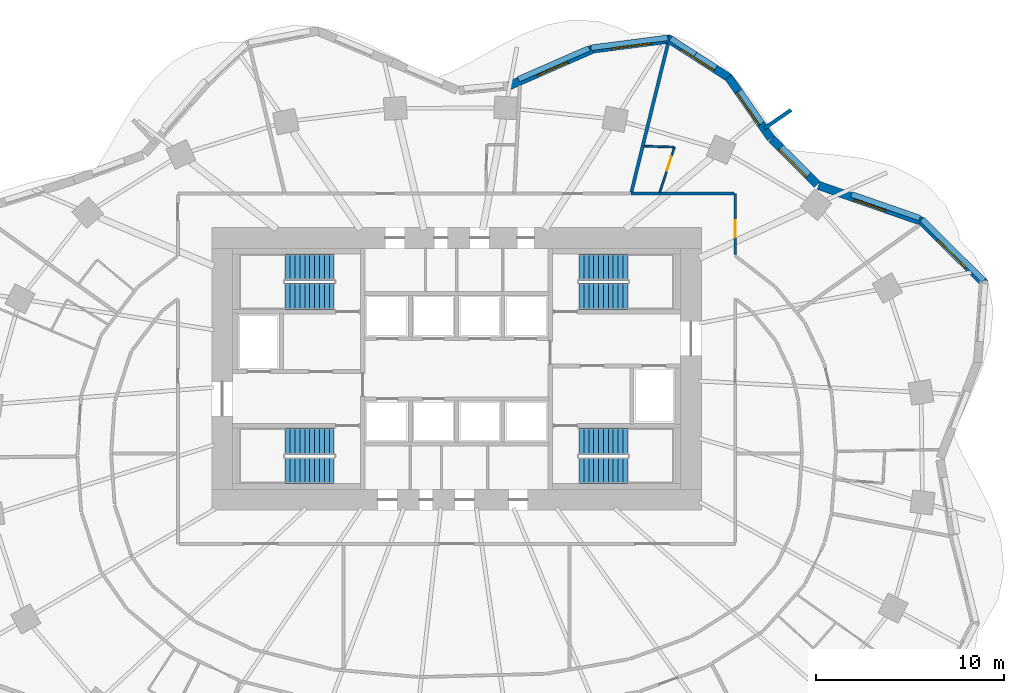
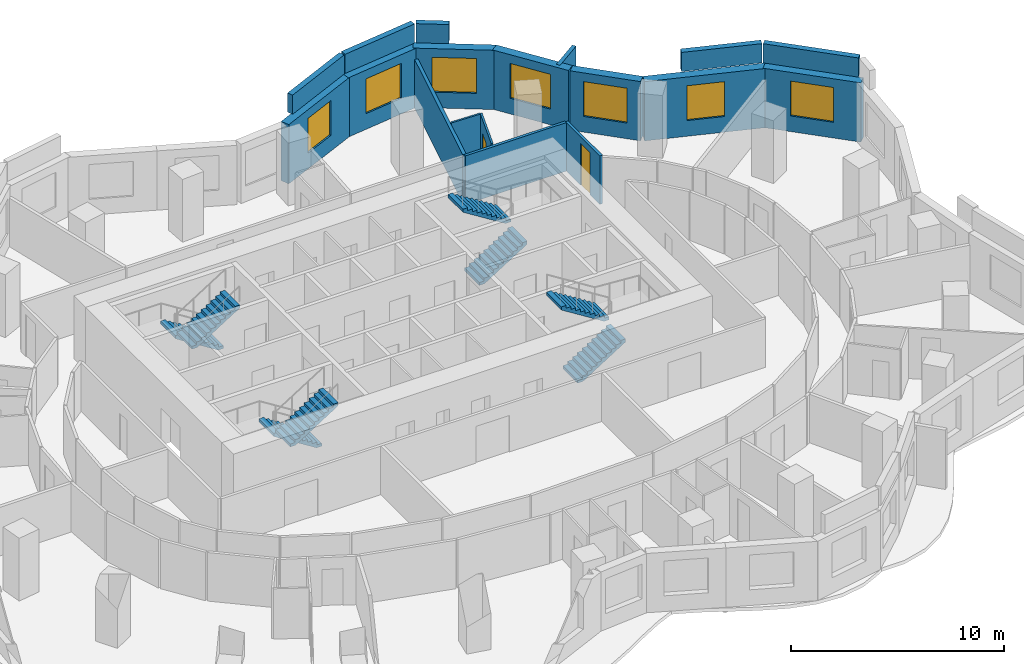
# One storey, part 9 of 10: 18 walls, 8 stair flights, 7 windows, 2 doors, 9 openings, 4 elements without a shape of their own.
"""IFC4 building model written with IfcOpenShell, lengths in metres."""

from ifc_helpers import new_model, si_unit, direction, frame, frame_2d, origin, place, context, subcontext, project, spatial, polyline, rectangle, outline, extrude, material, layer, layer_set, type_object, element, fill, aggregate, save


model = new_model("IFC4")

# Units and contexts
model_context = context("Model", 3, precision=1e-05, world=origin(), true_north=direction((0.0, 1.0)))
body_context = subcontext(model_context, "Body", "Model", "MODEL_VIEW")
ifc_project = project(units=[si_unit("LENGTHUNIT", "METRE"), si_unit("AREAUNIT", "SQUARE_METRE"), si_unit("VOLUMEUNIT", "CUBIC_METRE"), si_unit("PLANEANGLEUNIT", "RADIAN"), si_unit("MASSUNIT", "GRAM", prefix="KILO")], contexts=[model_context])

# Site, building, storey
site_placement = place(None, origin())
site = spatial("IfcSite", under=ifc_project, at=site_placement, CompositionType="ELEMENT")
building_placement = place(site_placement, origin())
building = spatial("IfcBuilding", under=site, at=building_placement, Name="Rubra Terraces Tower", CompositionType="ELEMENT")
storey_placement = place(building_placement, frame((0.0, 0.0, 110.39990234375)))
storey = spatial("IfcBuildingStorey", under=building, at=storey_placement, Name="L26", CompositionType="ELEMENT", Elevation=110.39990234375)

# Wall
ifc_material_1 = material(Name="Twin plasterboard on staggered steel stud, acoustic mineral wool", Category="steel")
ifc_layer_1 = layer(ifc_material_1, 0.175048828125)
ifc_layer_set_1 = layer_set([ifc_layer_1], Name="Twin plasterboard on staggered steel stud, acoustic mineral wool")
wall_type_1 = type_object("IfcWallType", Name="ACOUSTIC PARTY WALL 175", PredefinedType="PARTITIONING", material=ifc_layer_set_1)
wall_1_placement = place(storey_placement, frame((11.2265625, 21.769287109375, 0.0), z_axis=(0.0, 0.0, 1.0), x_axis=(-0.23905867542, -0.971005123419, 0.0)))
element("IfcWall", 1, at=wall_1_placement, inside=storey, type_object=wall_type_1, Name="PARTITION", PredefinedType="PARTITIONING", context=body_context, shape_type="SweptSolid", body=[
    extrude(rectangle(XDim=8.13232421875, YDim=0.175048828125, at=frame_2d((4.066162109375, 0.0))), origin(), (0.0, 0.0, 1.0), 2.7841796875),
])

# Wall, opening, window
ifc_material_2 = material(Name="Brick masonry red-brown", Category="masonry")
ifc_layer_2 = layer(ifc_material_2, 0.449951171875)
ifc_layer_set_2 = layer_set([ifc_layer_2], Name="Brick masonry red-brown")
wall_type_2 = type_object("IfcWallType", Name="Brick facade wall 450", PredefinedType="SOLIDWALL", material=ifc_layer_set_2)
wall_2_placement = place(storey_placement, frame((28.06787109375, 9.010986328125, 0.0), z_axis=(0.0, 0.0, 1.0), x_axis=(-0.711293453435, 0.702895172199, 0.0)))
wall_2 = element("IfcWall", 2, at=wall_2_placement, inside=storey, type_object=wall_type_2, Name="Facade wall L26 bay 3", PredefinedType="SOLIDWALL", context=body_context, shape_type="SweptSolid", body=[
    extrude(rectangle(XDim=4.767578125, YDim=0.449951171875, at=frame_2d((2.3837890625, 0.0))), origin(), (0.0, 0.0, 1.0), 3.400146484375),
])
opening_1_placement = place(wall_2_placement, frame((1.333740234375, 0.0, 0.89990234375)))
opening_1 = element("IfcOpeningElement", 3, at=opening_1_placement, cuts=wall_2, Name="Opening W1", PredefinedType="OPENING", context=body_context, shape_type="SweptSolid", body=[
    extrude(rectangle(XDim=2.10009765625, YDim=2.0, at=frame_2d((1.050048828125, 1.0))), frame((0.0, 0.23486328125, 0.0), z_axis=(0.0, -1.0, 0.0), x_axis=(1.0, 0.0, 0.0)), (0.0, 0.0, 1.0), 0.469970703125),
])
ifc_material_3 = material(Name="Clear glass in aluminium frame", Category="aluminium")
window_type_1 = type_object("IfcWindowType", Name="Fixed deep-set window 2100 x 2000", PartitioningType="SINGLE_PANEL", PredefinedType="WINDOW", material=ifc_material_3)
window_1_placement = place(opening_1_placement, origin())
window_1 = element("IfcWindow", 4, at=window_1_placement, inside=storey, type_object=window_type_1, Name="Window L26 bay 3", OverallHeight=2.0, OverallWidth=2.10009765625, PartitioningType="SINGLE_PANEL", PredefinedType="WINDOW", context=body_context, shape_type="SweptSolid", body=[
    extrude(rectangle(XDim=2.10009765625, YDim=2.0, at=frame_2d((1.050048828125, 1.0))), frame((0.0, 0.135009765625, 0.0), z_axis=(0.0, -1.0, 0.0), x_axis=(1.0, 0.0, 0.0)), (0.0, 0.0, 1.0), 0.06005859375),
])
fill(opening_1, window_1)

wall_3_placement = place(storey_placement, frame((24.760986328125, 12.309814453125, 0.0), z_axis=(0.0, 0.0, 1.0), x_axis=(-0.944397305248, 0.328806523414, 0.0)))
wall_3 = element("IfcWall", 5, at=wall_3_placement, inside=storey, type_object=wall_type_2, Name="Facade wall L26 bay 4", PredefinedType="SOLIDWALL", context=body_context, shape_type="SweptSolid", body=[
    extrude(rectangle(XDim=5.862060546875, YDim=0.449951171875, at=frame_2d((2.93115234375, 0.0))), origin(), (0.0, 0.0, 1.0), 3.400146484375),
])
opening_2_placement = place(wall_3_placement, frame((2.031005859375, 0.0, 0.89990234375)))
opening_2 = element("IfcOpeningElement", 6, at=opening_2_placement, cuts=wall_3, Name="Opening W6", PredefinedType="OPENING", context=body_context, shape_type="SweptSolid", body=[
    extrude(rectangle(XDim=1.800048828125, YDim=2.0, at=frame_2d((0.89990234375, 1.0))), frame((0.0, 0.23486328125, 0.0), z_axis=(0.0, -1.0, 0.0), x_axis=(1.0, 0.0, 0.0)), (0.0, 0.0, 1.0), 0.469970703125),
])
window_type_2 = type_object("IfcWindowType", Name="Fixed deep-set window at wind fin 1800 x 2000", PartitioningType="SINGLE_PANEL", PredefinedType="WINDOW", material=ifc_material_3)
window_2_placement = place(opening_2_placement, origin())
window_2 = element("IfcWindow", 7, at=window_2_placement, inside=storey, type_object=window_type_2, Name="Window L26 bay 4", OverallHeight=2.0, OverallWidth=1.800048828125, PartitioningType="SINGLE_PANEL", PredefinedType="WINDOW", context=body_context, shape_type="SweptSolid", body=[
    extrude(rectangle(XDim=1.800048828125, YDim=2.0, at=frame_2d((0.89990234375, 1.0))), frame((0.0, 0.135009765625, 0.0), z_axis=(0.0, -1.0, 0.0), x_axis=(1.0, 0.0, 0.0)), (0.0, 0.0, 1.0), 0.06005859375),
])
fill(opening_2, window_2)

wall_4_placement = place(storey_placement, frame((19.145263671875, 14.285400390625, 0.0), z_axis=(0.0, 0.0, 1.0), x_axis=(-0.707427521052, 0.706785895769, 0.0)))
wall_4 = element("IfcWall", 8, at=wall_4_placement, inside=storey, type_object=wall_type_2, Name="Facade wall L26 bay 5", PredefinedType="SOLIDWALL", context=body_context, shape_type="SweptSolid", body=[
    extrude(rectangle(XDim=3.424560546875, YDim=0.449951171875, at=frame_2d((1.71240234375, 0.0))), origin(), (0.0, 0.0, 1.0), 3.400146484375),
])
opening_3_placement = place(wall_4_placement, frame((0.662353515625, 0.0, 0.89990234375)))
opening_3 = element("IfcOpeningElement", 9, at=opening_3_placement, cuts=wall_4, Name="Opening W1", PredefinedType="OPENING", context=body_context, shape_type="SweptSolid", body=[
    extrude(rectangle(XDim=2.10009765625, YDim=2.0, at=frame_2d((1.050048828125, 1.0))), frame((0.0, 0.23486328125, 0.0), z_axis=(0.0, -1.0, 0.0), x_axis=(1.0, 0.0, 0.0)), (0.0, 0.0, 1.0), 0.469970703125),
])
window_3_placement = place(opening_3_placement, origin())
window_3 = element("IfcWindow", 10, at=window_3_placement, inside=storey, type_object=window_type_1, Name="Window L26 bay 5", OverallHeight=2.0, OverallWidth=2.10009765625, PartitioningType="SINGLE_PANEL", PredefinedType="WINDOW", context=body_context, shape_type="SweptSolid", body=[
    extrude(rectangle(XDim=2.10009765625, YDim=2.0, at=frame_2d((1.050048828125, 1.0))), frame((0.0, 0.135009765625, 0.0), z_axis=(0.0, -1.0, 0.0), x_axis=(1.0, 0.0, 0.0)), (0.0, 0.0, 1.0), 0.06005859375),
])
fill(opening_3, window_3)

wall_5_placement = place(storey_placement, frame((16.695068359375, 16.73681640625, 0.0), z_axis=(0.0, 0.0, 1.0), x_axis=(-0.569652445465, 0.821885692402, 0.0)))
wall_5 = element("IfcWall", 11, at=wall_5_placement, inside=storey, type_object=wall_type_2, Name="Facade wall L26 bay 6", PredefinedType="SOLIDWALL", context=body_context, shape_type="SweptSolid", body=[
    extrude(rectangle(XDim=3.958740234375, YDim=0.449951171875, at=frame_2d((1.9794921875, 0.0))), origin(), (0.0, 0.0, 1.0), 3.400146484375),
])
opening_4_placement = place(wall_5_placement, frame((0.929443359375, 0.0, 0.89990234375)))
opening_4 = element("IfcOpeningElement", 12, at=opening_4_placement, cuts=wall_5, Name="Opening W1", PredefinedType="OPENING", context=body_context, shape_type="SweptSolid", body=[
    extrude(rectangle(XDim=2.10009765625, YDim=2.0, at=frame_2d((1.050048828125, 1.0))), frame((0.0, 0.23486328125, 0.0), z_axis=(0.0, -1.0, 0.0), x_axis=(1.0, 0.0, 0.0)), (0.0, 0.0, 1.0), 0.469970703125),
])
window_4_placement = place(opening_4_placement, origin())
window_4 = element("IfcWindow", 13, at=window_4_placement, inside=storey, type_object=window_type_1, Name="Window L26 bay 6", OverallHeight=2.0, OverallWidth=2.10009765625, PartitioningType="SINGLE_PANEL", PredefinedType="WINDOW", context=body_context, shape_type="SweptSolid", body=[
    extrude(rectangle(XDim=2.10009765625, YDim=2.0, at=frame_2d((1.050048828125, 1.0))), frame((0.0, 0.135009765625, 0.0), z_axis=(0.0, -1.0, 0.0), x_axis=(1.0, 0.0, 0.0)), (0.0, 0.0, 1.0), 0.06005859375),
])
fill(opening_4, window_4)

wall_6_placement = place(storey_placement, frame((14.499267578125, 19.934814453125, 0.0), z_axis=(0.0, 0.0, 1.0), x_axis=(-0.84080910763, 0.541331732422, 0.0)))
wall_6 = element("IfcWall", 14, at=wall_6_placement, inside=storey, type_object=wall_type_2, Name="Facade wall L26 bay 7", PredefinedType="SOLIDWALL", context=body_context, shape_type="SweptSolid", body=[
    extrude(rectangle(XDim=3.91064453125, YDim=0.449951171875, at=frame_2d((1.955322265625, 0.0))), origin(), (0.0, 0.0, 1.0), 3.400146484375),
])
opening_5_placement = place(wall_6_placement, frame((0.9052734375, 0.0, 0.89990234375)))
opening_5 = element("IfcOpeningElement", 15, at=opening_5_placement, cuts=wall_6, Name="Opening W1", PredefinedType="OPENING", context=body_context, shape_type="SweptSolid", body=[
    extrude(rectangle(XDim=2.10009765625, YDim=2.0, at=frame_2d((1.050048828125, 1.0))), frame((0.0, 0.23486328125, 0.0), z_axis=(0.0, -1.0, 0.0), x_axis=(1.0, 0.0, 0.0)), (0.0, 0.0, 1.0), 0.469970703125),
])
window_5_placement = place(opening_5_placement, origin())
window_5 = element("IfcWindow", 16, at=window_5_placement, inside=storey, type_object=window_type_1, Name="Window L26 bay 7", OverallHeight=2.0, OverallWidth=2.10009765625, PartitioningType="SINGLE_PANEL", PredefinedType="WINDOW", context=body_context, shape_type="SweptSolid", body=[
    extrude(rectangle(XDim=2.10009765625, YDim=2.0, at=frame_2d((1.050048828125, 1.0))), frame((0.0, 0.135009765625, 0.0), z_axis=(0.0, -1.0, 0.0), x_axis=(1.0, 0.0, 0.0)), (0.0, 0.0, 1.0), 0.06005859375),
])
fill(opening_5, window_5)

wall_7_placement = place(storey_placement, frame((11.36181640625, 22.017822265625, 0.0), z_axis=(0.0, 0.0, 1.0), x_axis=(-0.991724958022, -0.128380713645, 0.0)))
wall_7 = element("IfcWall", 17, at=wall_7_placement, inside=storey, type_object=wall_type_2, Name="Facade wall L26 bay 8", PredefinedType="SOLIDWALL", context=body_context, shape_type="SweptSolid", body=[
    extrude(rectangle(XDim=4.181884765625, YDim=0.449951171875, at=frame_2d((2.0908203125, 0.0))), origin(), (0.0, 0.0, 1.0), 3.400146484375),
])
opening_6_placement = place(wall_7_placement, frame((1.041015625, 0.0, 0.89990234375)))
opening_6 = element("IfcOpeningElement", 18, at=opening_6_placement, cuts=wall_7, Name="Opening W1", PredefinedType="OPENING", context=body_context, shape_type="SweptSolid", body=[
    extrude(rectangle(XDim=2.10009765625, YDim=2.0, at=frame_2d((1.050048828125, 1.0))), frame((0.0, 0.23486328125, 0.0), z_axis=(0.0, -1.0, 0.0), x_axis=(1.0, 0.0, 0.0)), (0.0, 0.0, 1.0), 0.469970703125),
])
window_6_placement = place(opening_6_placement, origin())
window_6 = element("IfcWindow", 19, at=window_6_placement, inside=storey, type_object=window_type_1, Name="Window L26 bay 8", OverallHeight=2.0, OverallWidth=2.10009765625, PartitioningType="SINGLE_PANEL", PredefinedType="WINDOW", context=body_context, shape_type="SweptSolid", body=[
    extrude(rectangle(XDim=2.10009765625, YDim=2.0, at=frame_2d((1.050048828125, 1.0))), frame((0.0, 0.135009765625, 0.0), z_axis=(0.0, -1.0, 0.0), x_axis=(1.0, 0.0, 0.0)), (0.0, 0.0, 1.0), 0.06005859375),
])
fill(opening_6, window_6)

wall_8_placement = place(storey_placement, frame((7.27587890625, 21.498046875, 0.0), z_axis=(0.0, 0.0, 1.0), x_axis=(-0.915872941312, -0.401468249519, 0.0)))
wall_8 = element("IfcWall", 20, at=wall_8_placement, inside=storey, type_object=wall_type_2, Name="Facade wall L26 bay 9", PredefinedType="SOLIDWALL", context=body_context, shape_type="SweptSolid", body=[
    extrude(rectangle(XDim=4.870361328125, YDim=0.449951171875, at=frame_2d((2.43505859375, 0.0))), origin(), (0.0, 0.0, 1.0), 3.400146484375),
])
opening_7_placement = place(wall_8_placement, frame((1.535400390625, 0.0, 0.89990234375)))
opening_7 = element("IfcOpeningElement", 21, at=opening_7_placement, cuts=wall_8, Name="Opening W6", PredefinedType="OPENING", context=body_context, shape_type="SweptSolid", body=[
    extrude(rectangle(XDim=1.800048828125, YDim=2.0, at=frame_2d((0.89990234375, 1.0))), frame((0.0, 0.23486328125, 0.0), z_axis=(0.0, -1.0, 0.0), x_axis=(1.0, 0.0, 0.0)), (0.0, 0.0, 1.0), 0.469970703125),
])
window_7_placement = place(opening_7_placement, origin())
window_7 = element("IfcWindow", 22, at=window_7_placement, inside=storey, type_object=window_type_2, Name="Window L26 bay 9", OverallHeight=2.0, OverallWidth=1.800048828125, PartitioningType="SINGLE_PANEL", PredefinedType="WINDOW", context=body_context, shape_type="SweptSolid", body=[
    extrude(rectangle(XDim=1.800048828125, YDim=2.0, at=frame_2d((0.89990234375, 1.0))), frame((0.0, 0.135009765625, 0.0), z_axis=(0.0, -1.0, 0.0), x_axis=(1.0, 0.0, 0.0)), (0.0, 0.0, 1.0), 0.06005859375),
])
fill(opening_7, window_7)

# Walls
ifc_layer_3 = layer(ifc_material_2, 0.300048828125)
ifc_layer_set_3 = layer_set([ifc_layer_3], Name="Brick masonry red-brown")
wall_type_3 = type_object("IfcWallType", Name="Brick parapet 300", PredefinedType="PARAPET", material=ifc_layer_set_3)
wall_9_placement = place(storey_placement, frame((28.00048828125, 9.18310546875, 3.60009765625), z_axis=(0.0, 0.0, 1.0), x_axis=(-0.711291435321, 0.702897214419, 0.0)))
element("IfcWall", 23, at=wall_9_placement, inside=storey, type_object=wall_type_3, Name="Parapet L26 bay 3", PredefinedType="PARAPET", context=body_context, shape_type="SweptSolid", body=[
    extrude(rectangle(XDim=4.62451171875, YDim=0.300048828125, at=frame_2d((2.312255859375, 0.0))), origin(), (0.0, 0.0, 1.0), 1.10009765625),
])
wall_10_placement = place(storey_placement, frame((24.605224609375, 12.49951171875, 3.60009765625), z_axis=(0.0, 0.0, 1.0), x_axis=(-0.944373295981, 0.328875474668, 0.0)))
element("IfcWall", 24, at=wall_10_placement, inside=storey, type_object=wall_type_3, Name="Parapet L26 bay 4", PredefinedType="PARAPET", context=body_context, shape_type="SweptSolid", body=[
    extrude(rectangle(XDim=3.84228515625, YDim=0.300048828125, at=frame_2d((1.921142578125, 0.0))), origin(), (0.0, 0.0, 1.0), 1.10009765625),
])
wall_11_placement = place(storey_placement, frame((12.680419921875, 21.195068359375, 3.60009765625), z_axis=(0.0, 0.0, 1.0), x_axis=(-0.840806975541, 0.541335044018, 0.0)))
element("IfcWall", 25, at=wall_11_placement, inside=storey, type_object=wall_type_3, Name="Parapet L26 bay 7", PredefinedType="PARAPET", context=body_context, shape_type="SweptSolid", body=[
    extrude(rectangle(XDim=1.5595703125, YDim=0.300048828125, at=frame_2d((0.77978515625, 0.0))), origin(), (0.0, 0.0, 1.0), 1.10009765625),
])
wall_12_placement = place(storey_placement, frame((11.2138671875, 22.07421875, 3.60009765625), z_axis=(0.0, 0.0, 1.0), x_axis=(-0.991727449614, -0.128361464939, 0.0)))
element("IfcWall", 26, at=wall_12_placement, inside=storey, type_object=wall_type_3, Name="Parapet L26 bay 8", PredefinedType="PARAPET", context=body_context, shape_type="SweptSolid", body=[
    extrude(rectangle(XDim=4.110107421875, YDim=0.300048828125, at=frame_2d((2.05517578125, 0.0))), origin(), (0.0, 0.0, 1.0), 1.10009765625),
])
wall_13_placement = place(storey_placement, frame((7.039306640625, 21.519287109375, 3.60009765625), z_axis=(0.0, 0.0, 1.0), x_axis=(-0.915890739732, -0.401427643384, 0.0)))
element("IfcWall", 27, at=wall_13_placement, inside=storey, type_object=wall_type_3, Name="Parapet L26 bay 9", PredefinedType="PARAPET", context=body_context, shape_type="SweptSolid", body=[
    extrude(rectangle(XDim=4.1015625, YDim=0.300048828125, at=frame_2d((2.05078125, 0.0))), origin(), (0.0, 0.0, 1.0), 1.10009765625),
])
ifc_layer_4 = layer(ifc_material_2, 0.199951171875)
ifc_layer_set_4 = layer_set([ifc_layer_4], Name="Brick masonry red-brown")
wall_type_4 = type_object("IfcWallType", Name="Brick wind fin 200", PredefinedType="SOLIDWALL", material=ifc_layer_set_4)
wall_14_placement = place(storey_placement, frame((16.322021484375, 17.2529296875, 0.0), z_axis=(0.0, 0.0, 1.0), x_axis=(0.824440606412, 0.565948483962, 0.0)))
element("IfcWall", 28, at=wall_14_placement, inside=storey, type_object=wall_type_4, Name="Wind fin L26 4", PredefinedType="SOLIDWALL", context=body_context, shape_type="SweptSolid", body=[
    extrude(rectangle(XDim=1.75, YDim=0.199951171875, at=frame_2d((0.875, 0.0))), origin(), (0.0, 0.0, 1.0), 3.400146484375),
])

# Wall, opening, door
ifc_material_4 = material(Name="Plasterboard on steel stud, mineral wool infill", Category="steel")
ifc_layer_5 = layer(ifc_material_4, 0.14990234375)
ifc_layer_set_5 = layer_set([ifc_layer_5], Name="Plasterboard on steel stud, mineral wool infill")
wall_type_5 = type_object("IfcWallType", Name="CORRIDOR PARTITION 150", PredefinedType="PARTITIONING", material=ifc_layer_set_5)
wall_15_placement = place(storey_placement, frame((14.800048828125, 10.57177734375, 0.0), z_axis=(0.0, 0.0, 1.0), x_axis=(0.0, 1.0, 0.0)))
wall_15 = element("IfcWall", 29, at=wall_15_placement, inside=storey, type_object=wall_type_5, Name="PARTITION", PredefinedType="PARTITIONING", context=body_context, shape_type="SweptSolid", body=[
    extrude(rectangle(XDim=3.228271484375, YDim=0.14990234375, at=frame_2d((1.6142578125, 0.0))), origin(), (0.0, 0.0, 1.0), 2.7841796875),
])
opening_8_placement = place(wall_15_placement, frame((0.910888671875, 0.0, 0.0)))
opening_8 = element("IfcOpeningElement", 30, at=opening_8_placement, cuts=wall_15, Name="Opening 26-118", PredefinedType="OPENING", context=body_context, shape_type="SweptSolid", body=[
    extrude(rectangle(XDim=0.89990234375, YDim=2.39990234375, at=frame_2d((0.449951171875, 1.199951171875))), frame((0.0, 0.0849609375, 0.0), z_axis=(0.0, -1.0, 0.0), x_axis=(1.0, 0.0, 0.0)), (0.0, 0.0, 1.0), 0.169921875),
])
ifc_material_5 = material(Name="Veneered timber door leaf, fire-rated", Category="wood")
door_type_1 = type_object("IfcDoorType", Name="SUITE ENTRANCE DOOR 900 X 2400", OperationType="SINGLE_SWING_LEFT", PredefinedType="DOOR", material=ifc_material_5)
door_1_placement = place(opening_8_placement, origin())
door_1 = element("IfcDoor", 31, at=door_1_placement, inside=storey, type_object=door_type_1, Name="DOOR 26-118", OperationType="SINGLE_SWING_LEFT", OverallHeight=2.39990234375, OverallWidth=0.89990234375, PredefinedType="DOOR", context=body_context, shape_type="SweptSolid", body=[
    extrude(rectangle(XDim=0.89990234375, YDim=2.39990234375, at=frame_2d((0.449951171875, 1.199951171875))), frame((0.0, 0.02490234375, 0.0), z_axis=(0.0, -1.0, 0.0), x_axis=(1.0, 0.0, 0.0)), (0.0, 0.0, 1.0), 0.050048828125),
])
fill(opening_8, door_1)

# Wall
wall_16_placement = place(storey_placement, frame((14.72509765625, 13.800048828125, 0.0), z_axis=(0.0, 0.0, 1.0), x_axis=(-1.0, 0.0, 0.0)))
element("IfcWall", 32, at=wall_16_placement, inside=storey, type_object=wall_type_5, Name="PARTITION", PredefinedType="PARTITIONING", context=body_context, shape_type="SweptSolid", body=[
    extrude(rectangle(XDim=5.460693359375, YDim=0.14990234375, at=frame_2d((2.73046875, 0.0))), origin(), (0.0, 0.0, 1.0), 2.7841796875),
])

# Wall, opening, door
ifc_material_6 = material(Name="Plasterboard on steel stud", Category="steel")
ifc_layer_6 = layer(ifc_material_6, 0.10009765625)
ifc_layer_set_6 = layer_set([ifc_layer_6], Name="Plasterboard on steel stud")
wall_type_6 = type_object("IfcWallType", Name="ROOM PARTITION 100", PredefinedType="PARTITIONING", material=ifc_layer_set_6)
wall_17_placement = place(storey_placement, frame((10.787841796875, 13.871337890625, 0.0), z_axis=(0.0, 0.0, 1.0), x_axis=(0.311553531795, 0.950228602404, 0.0)))
wall_17 = element("IfcWall", 33, at=wall_17_placement, inside=storey, type_object=wall_type_6, Name="PARTITION", PredefinedType="PARTITIONING", context=body_context, shape_type="SweptSolid", body=[
    extrude(rectangle(XDim=2.52490234375, YDim=0.10009765625, at=frame_2d((1.262451171875, 0.0))), origin(), (0.0, 0.0, 1.0), 2.884033203125),
])
opening_9_placement = place(wall_17_placement, frame((1.199951171875, 0.0, 0.0)))
opening_9 = element("IfcOpeningElement", 34, at=opening_9_placement, cuts=wall_17, Name="Opening 26-117", PredefinedType="OPENING", context=body_context, shape_type="SweptSolid", body=[
    extrude(rectangle(XDim=0.800048828125, YDim=2.10009765625, at=frame_2d((0.39990234375, 1.050048828125))), frame((0.0, 0.06005859375, 0.0), z_axis=(0.0, -1.0, 0.0), x_axis=(1.0, 0.0, 0.0)), (0.0, 0.0, 1.0), 0.1201171875),
])
ifc_material_7 = material(Name="Painted timber door leaf", Category="wood")
door_type_2 = type_object("IfcDoorType", Name="BATHROOM DOOR 800 X 2100", OperationType="SINGLE_SWING_LEFT", PredefinedType="DOOR", material=ifc_material_7)
door_2_placement = place(opening_9_placement, origin())
door_2 = element("IfcDoor", 35, at=door_2_placement, inside=storey, type_object=door_type_2, Name="DOOR 26-117", OperationType="SINGLE_SWING_LEFT", OverallHeight=2.10009765625, OverallWidth=0.800048828125, PredefinedType="DOOR", context=body_context, shape_type="SweptSolid", body=[
    extrude(rectangle(XDim=0.800048828125, YDim=2.10009765625, at=frame_2d((0.39990234375, 1.050048828125))), frame((0.0, 0.02490234375, 0.0), z_axis=(0.0, -1.0, 0.0), x_axis=(1.0, 0.0, 0.0)), (0.0, 0.0, 1.0), 0.050048828125),
])
fill(opening_9, door_2)

# Wall
wall_18_placement = place(storey_placement, frame((11.5244140625, 16.272216796875, 0.0), z_axis=(0.0, 0.0, 1.0), x_axis=(-0.99948787379, 0.03199984603, 0.0)))
element("IfcWall", 36, at=wall_18_placement, inside=storey, type_object=wall_type_6, Name="PARTITION", PredefinedType="PARTITIONING", context=body_context, shape_type="SweptSolid", body=[
    extrude(rectangle(XDim=1.56396484375, YDim=0.10009765625, at=frame_2d((0.781982421875, 0.0))), origin(), (0.0, 0.0, 1.0), 2.884033203125),
])

# Stair, stair flights
ifc_material_8 = material(Name="Concrete C40", Category="concrete")
stair_type = type_object("IfcStairType", Name="Core stair 1400", PredefinedType="HALF_TURN_STAIR", material=ifc_material_8)
stair_1_placement = place(storey_placement, origin())
stair_1 = element("IfcStair", 37, at=stair_1_placement, inside=storey, type_object=stair_type, Name="L26 Exit stair S1", PredefinedType="HALF_TURN_STAIR")
stair_flight_type = type_object("IfcStairFlightType", Name="Core stair flight 1400", PredefinedType="STRAIGHT", material=ifc_material_8)
stair_flight_1_placement = place(storey_placement, frame((-6.5, 0.64990234375, 0.0), z_axis=(0.0, 0.0, 1.0), x_axis=(-1.0, 0.0, 0.0)))
stair_flight_1 = element("IfcStairFlight", 38, at=stair_flight_1_placement, type_object=stair_flight_type, Name="S1 flight 1", NumberOfRisers=11, NumberOfTreads=10, PredefinedType="STRAIGHT", RiserHeight=0.163636364, TreadLength=0.26, context=body_context, shape_type="SweptSolid", body=[
    extrude(outline(polyline([(0.0, 0.0), (0.0, 0.16357421875), (0.260009765625, 0.16357421875), (0.260009765625, 0.327392578125), (0.52001953125, 0.327392578125), (0.52001953125, 0.490966796875), (0.780029296875, 0.490966796875), (0.780029296875, 0.654541015625), (1.0400390625, 0.654541015625), (1.0400390625, 0.818115234375), (1.300048828125, 0.818115234375), (1.300048828125, 0.98193359375), (1.56005859375, 0.98193359375), (1.56005859375, 1.1455078125), (1.820068359375, 1.1455078125), (1.820068359375, 1.30908203125), (2.080078125, 1.30908203125), (2.080078125, 1.47265625), (2.340087890625, 1.47265625), (2.340087890625, 1.636474609375), (2.60009765625, 1.636474609375), (2.60009765625, 1.800048828125), (2.60009765625, 1.459228515625), (0.281494140625, 0.0), (0.0, 0.0)])), frame((0.0, 0.699951171875, 0.0), z_axis=(0.0, -1.0, 0.0), x_axis=(1.0, 0.0, 0.0)), (0.0, 0.0, 1.0), 1.39990234375),
])
stair_flight_2_placement = place(storey_placement, frame((-9.10009765625, -0.89990234375, 1.800048828125), z_axis=(0.0, 0.0, 1.0), x_axis=(1.0, 0.0, 0.0)))
stair_flight_2 = element("IfcStairFlight", 39, at=stair_flight_2_placement, type_object=stair_flight_type, Name="S1 flight 2", NumberOfRisers=11, NumberOfTreads=10, PredefinedType="STRAIGHT", RiserHeight=0.163636364, TreadLength=0.26, context=body_context, shape_type="SweptSolid", body=[
    extrude(outline(polyline([(0.0, 0.0), (0.0, 0.16357421875), (0.260009765625, 0.16357421875), (0.260009765625, 0.327392578125), (0.52001953125, 0.327392578125), (0.52001953125, 0.490966796875), (0.780029296875, 0.490966796875), (0.780029296875, 0.654541015625), (1.0400390625, 0.654541015625), (1.0400390625, 0.818115234375), (1.300048828125, 0.818115234375), (1.300048828125, 0.98193359375), (1.56005859375, 0.98193359375), (1.56005859375, 1.1455078125), (1.820068359375, 1.1455078125), (1.820068359375, 1.30908203125), (2.080078125, 1.30908203125), (2.080078125, 1.47265625), (2.340087890625, 1.47265625), (2.340087890625, 1.636474609375), (2.60009765625, 1.636474609375), (2.60009765625, 1.800048828125), (2.60009765625, 1.459228515625), (0.281494140625, 0.0), (0.0, 0.0)])), frame((0.0, 0.699951171875, 0.0), z_axis=(0.0, -1.0, 0.0), x_axis=(1.0, 0.0, 0.0)), (0.0, 0.0, 1.0), 1.39990234375),
])
aggregate(stair_1, [stair_flight_1, stair_flight_2])

stair_2_placement = place(storey_placement, origin())
stair_2 = element("IfcStair", 40, at=stair_2_placement, inside=storey, type_object=stair_type, Name="L26 Exit stair S2", PredefinedType="HALF_TURN_STAIR")
stair_flight_3_placement = place(storey_placement, frame((-6.5, 9.89990234375, 0.0), z_axis=(0.0, 0.0, 1.0), x_axis=(-1.0, 0.0, 0.0)))
stair_flight_3 = element("IfcStairFlight", 41, at=stair_flight_3_placement, type_object=stair_flight_type, Name="S2 flight 1", NumberOfRisers=11, NumberOfTreads=10, PredefinedType="STRAIGHT", RiserHeight=0.163636364, TreadLength=0.26, context=body_context, shape_type="SweptSolid", body=[
    extrude(outline(polyline([(0.0, 0.0), (0.0, 0.16357421875), (0.260009765625, 0.16357421875), (0.260009765625, 0.327392578125), (0.52001953125, 0.327392578125), (0.52001953125, 0.490966796875), (0.780029296875, 0.490966796875), (0.780029296875, 0.654541015625), (1.0400390625, 0.654541015625), (1.0400390625, 0.818115234375), (1.300048828125, 0.818115234375), (1.300048828125, 0.98193359375), (1.56005859375, 0.98193359375), (1.56005859375, 1.1455078125), (1.820068359375, 1.1455078125), (1.820068359375, 1.30908203125), (2.080078125, 1.30908203125), (2.080078125, 1.47265625), (2.340087890625, 1.47265625), (2.340087890625, 1.636474609375), (2.60009765625, 1.636474609375), (2.60009765625, 1.800048828125), (2.60009765625, 1.459228515625), (0.281494140625, 0.0), (0.0, 0.0)])), frame((0.0, 0.699951171875, 0.0), z_axis=(0.0, -1.0, 0.0), x_axis=(1.0, 0.0, 0.0)), (0.0, 0.0, 1.0), 1.39990234375),
])
stair_flight_4_placement = place(storey_placement, frame((-9.10009765625, 8.35009765625, 1.800048828125), z_axis=(0.0, 0.0, 1.0), x_axis=(1.0, 0.0, 0.0)))
stair_flight_4 = element("IfcStairFlight", 42, at=stair_flight_4_placement, type_object=stair_flight_type, Name="S2 flight 2", NumberOfRisers=11, NumberOfTreads=10, PredefinedType="STRAIGHT", RiserHeight=0.163636364, TreadLength=0.26, context=body_context, shape_type="SweptSolid", body=[
    extrude(outline(polyline([(0.0, 0.0), (0.0, 0.16357421875), (0.260009765625, 0.16357421875), (0.260009765625, 0.327392578125), (0.52001953125, 0.327392578125), (0.52001953125, 0.490966796875), (0.780029296875, 0.490966796875), (0.780029296875, 0.654541015625), (1.0400390625, 0.654541015625), (1.0400390625, 0.818115234375), (1.300048828125, 0.818115234375), (1.300048828125, 0.98193359375), (1.56005859375, 0.98193359375), (1.56005859375, 1.1455078125), (1.820068359375, 1.1455078125), (1.820068359375, 1.30908203125), (2.080078125, 1.30908203125), (2.080078125, 1.47265625), (2.340087890625, 1.47265625), (2.340087890625, 1.636474609375), (2.60009765625, 1.636474609375), (2.60009765625, 1.800048828125), (2.60009765625, 1.459228515625), (0.281494140625, 0.0), (0.0, 0.0)])), frame((0.0, 0.699951171875, 0.0), z_axis=(0.0, -1.0, 0.0), x_axis=(1.0, 0.0, 0.0)), (0.0, 0.0, 1.0), 1.39990234375),
])
aggregate(stair_2, [stair_flight_3, stair_flight_4])

stair_3_placement = place(storey_placement, origin())
stair_3 = element("IfcStair", 43, at=stair_3_placement, inside=storey, type_object=stair_type, Name="L26 Exit stair S3", PredefinedType="HALF_TURN_STAIR")
stair_flight_5_placement = place(storey_placement, frame((6.5, 8.35009765625, 0.0), z_axis=(0.0, 0.0, 1.0), x_axis=(1.0, 0.0, 0.0)))
stair_flight_5 = element("IfcStairFlight", 44, at=stair_flight_5_placement, type_object=stair_flight_type, Name="S3 flight 1", NumberOfRisers=11, NumberOfTreads=10, PredefinedType="STRAIGHT", RiserHeight=0.163636364, TreadLength=0.26, context=body_context, shape_type="SweptSolid", body=[
    extrude(outline(polyline([(0.0, 0.0), (0.0, 0.16357421875), (0.260009765625, 0.16357421875), (0.260009765625, 0.327392578125), (0.52001953125, 0.327392578125), (0.52001953125, 0.490966796875), (0.780029296875, 0.490966796875), (0.780029296875, 0.654541015625), (1.0400390625, 0.654541015625), (1.0400390625, 0.818115234375), (1.300048828125, 0.818115234375), (1.300048828125, 0.98193359375), (1.56005859375, 0.98193359375), (1.56005859375, 1.1455078125), (1.820068359375, 1.1455078125), (1.820068359375, 1.30908203125), (2.080078125, 1.30908203125), (2.080078125, 1.47265625), (2.340087890625, 1.47265625), (2.340087890625, 1.636474609375), (2.60009765625, 1.636474609375), (2.60009765625, 1.800048828125), (2.60009765625, 1.459228515625), (0.281494140625, 0.0), (0.0, 0.0)])), frame((0.0, 0.699951171875, 0.0), z_axis=(0.0, -1.0, 0.0), x_axis=(1.0, 0.0, 0.0)), (0.0, 0.0, 1.0), 1.39990234375),
])
stair_flight_6_placement = place(storey_placement, frame((9.10009765625, 9.89990234375, 1.800048828125), z_axis=(0.0, 0.0, 1.0), x_axis=(-1.0, 0.0, 0.0)))
stair_flight_6 = element("IfcStairFlight", 45, at=stair_flight_6_placement, type_object=stair_flight_type, Name="S3 flight 2", NumberOfRisers=11, NumberOfTreads=10, PredefinedType="STRAIGHT", RiserHeight=0.163636364, TreadLength=0.26, context=body_context, shape_type="SweptSolid", body=[
    extrude(outline(polyline([(0.0, 0.0), (0.0, 0.16357421875), (0.260009765625, 0.16357421875), (0.260009765625, 0.327392578125), (0.52001953125, 0.327392578125), (0.52001953125, 0.490966796875), (0.780029296875, 0.490966796875), (0.780029296875, 0.654541015625), (1.0400390625, 0.654541015625), (1.0400390625, 0.818115234375), (1.300048828125, 0.818115234375), (1.300048828125, 0.98193359375), (1.56005859375, 0.98193359375), (1.56005859375, 1.1455078125), (1.820068359375, 1.1455078125), (1.820068359375, 1.30908203125), (2.080078125, 1.30908203125), (2.080078125, 1.47265625), (2.340087890625, 1.47265625), (2.340087890625, 1.636474609375), (2.60009765625, 1.636474609375), (2.60009765625, 1.800048828125), (2.60009765625, 1.459228515625), (0.281494140625, 0.0), (0.0, 0.0)])), frame((0.0, 0.699951171875, 0.0), z_axis=(0.0, -1.0, 0.0), x_axis=(1.0, 0.0, 0.0)), (0.0, 0.0, 1.0), 1.39990234375),
])
aggregate(stair_3, [stair_flight_5, stair_flight_6])

stair_4_placement = place(storey_placement, origin())
stair_4 = element("IfcStair", 46, at=stair_4_placement, inside=storey, type_object=stair_type, Name="L26 Exit stair S4", PredefinedType="HALF_TURN_STAIR")
stair_flight_7_placement = place(storey_placement, frame((6.5, -0.89990234375, 0.0), z_axis=(0.0, 0.0, 1.0), x_axis=(1.0, 0.0, 0.0)))
stair_flight_7 = element("IfcStairFlight", 47, at=stair_flight_7_placement, type_object=stair_flight_type, Name="S4 flight 1", NumberOfRisers=11, NumberOfTreads=10, PredefinedType="STRAIGHT", RiserHeight=0.163636364, TreadLength=0.26, context=body_context, shape_type="SweptSolid", body=[
    extrude(outline(polyline([(0.0, 0.0), (0.0, 0.16357421875), (0.260009765625, 0.16357421875), (0.260009765625, 0.327392578125), (0.52001953125, 0.327392578125), (0.52001953125, 0.490966796875), (0.780029296875, 0.490966796875), (0.780029296875, 0.654541015625), (1.0400390625, 0.654541015625), (1.0400390625, 0.818115234375), (1.300048828125, 0.818115234375), (1.300048828125, 0.98193359375), (1.56005859375, 0.98193359375), (1.56005859375, 1.1455078125), (1.820068359375, 1.1455078125), (1.820068359375, 1.30908203125), (2.080078125, 1.30908203125), (2.080078125, 1.47265625), (2.340087890625, 1.47265625), (2.340087890625, 1.636474609375), (2.60009765625, 1.636474609375), (2.60009765625, 1.800048828125), (2.60009765625, 1.459228515625), (0.281494140625, 0.0), (0.0, 0.0)])), frame((0.0, 0.699951171875, 0.0), z_axis=(0.0, -1.0, 0.0), x_axis=(1.0, 0.0, 0.0)), (0.0, 0.0, 1.0), 1.39990234375),
])
stair_flight_8_placement = place(storey_placement, frame((9.10009765625, 0.64990234375, 1.800048828125), z_axis=(0.0, 0.0, 1.0), x_axis=(-1.0, 0.0, 0.0)))
stair_flight_8 = element("IfcStairFlight", 48, at=stair_flight_8_placement, type_object=stair_flight_type, Name="S4 flight 2", NumberOfRisers=11, NumberOfTreads=10, PredefinedType="STRAIGHT", RiserHeight=0.163636364, TreadLength=0.26, context=body_context, shape_type="SweptSolid", body=[
    extrude(outline(polyline([(0.0, 0.0), (0.0, 0.16357421875), (0.260009765625, 0.16357421875), (0.260009765625, 0.327392578125), (0.52001953125, 0.327392578125), (0.52001953125, 0.490966796875), (0.780029296875, 0.490966796875), (0.780029296875, 0.654541015625), (1.0400390625, 0.654541015625), (1.0400390625, 0.818115234375), (1.300048828125, 0.818115234375), (1.300048828125, 0.98193359375), (1.56005859375, 0.98193359375), (1.56005859375, 1.1455078125), (1.820068359375, 1.1455078125), (1.820068359375, 1.30908203125), (2.080078125, 1.30908203125), (2.080078125, 1.47265625), (2.340087890625, 1.47265625), (2.340087890625, 1.636474609375), (2.60009765625, 1.636474609375), (2.60009765625, 1.800048828125), (2.60009765625, 1.459228515625), (0.281494140625, 0.0), (0.0, 0.0)])), frame((0.0, 0.699951171875, 0.0), z_axis=(0.0, -1.0, 0.0), x_axis=(1.0, 0.0, 0.0)), (0.0, 0.0, 1.0), 1.39990234375),
])
aggregate(stair_4, [stair_flight_7, stair_flight_8])

save(model, "model.ifc")
